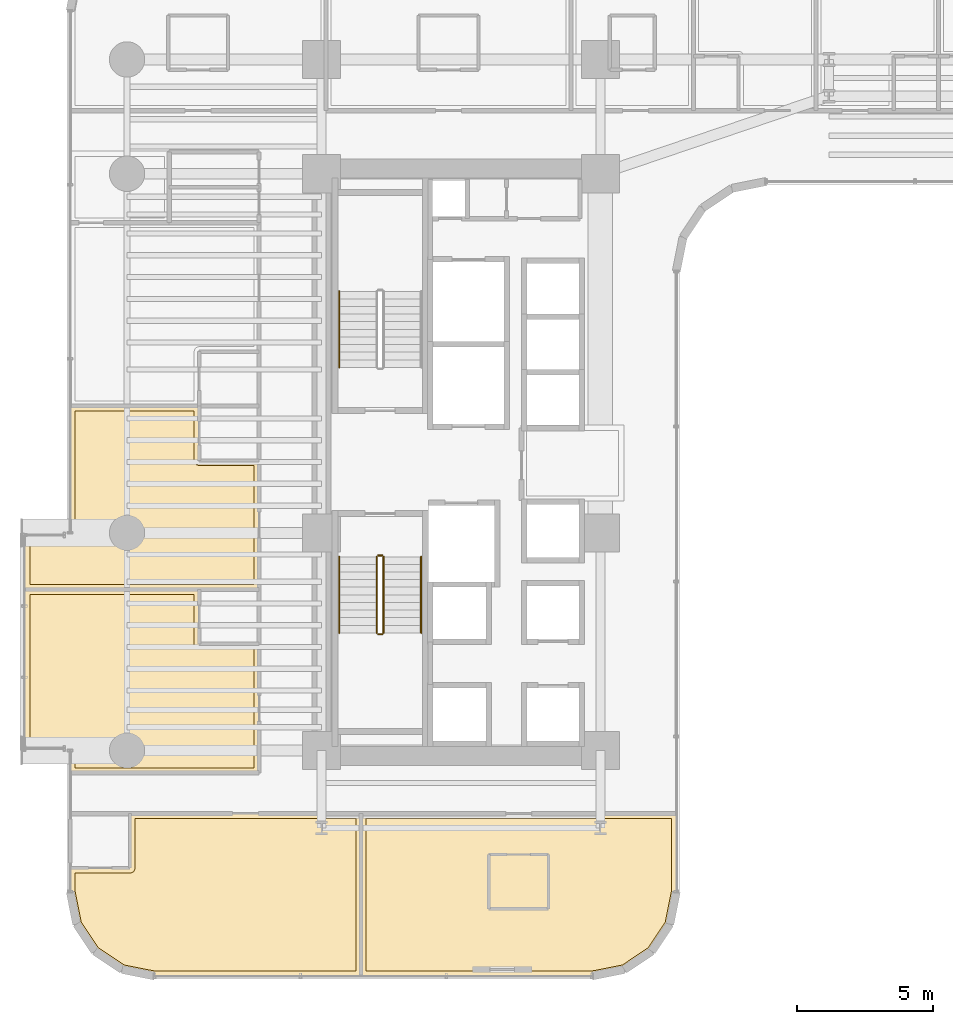
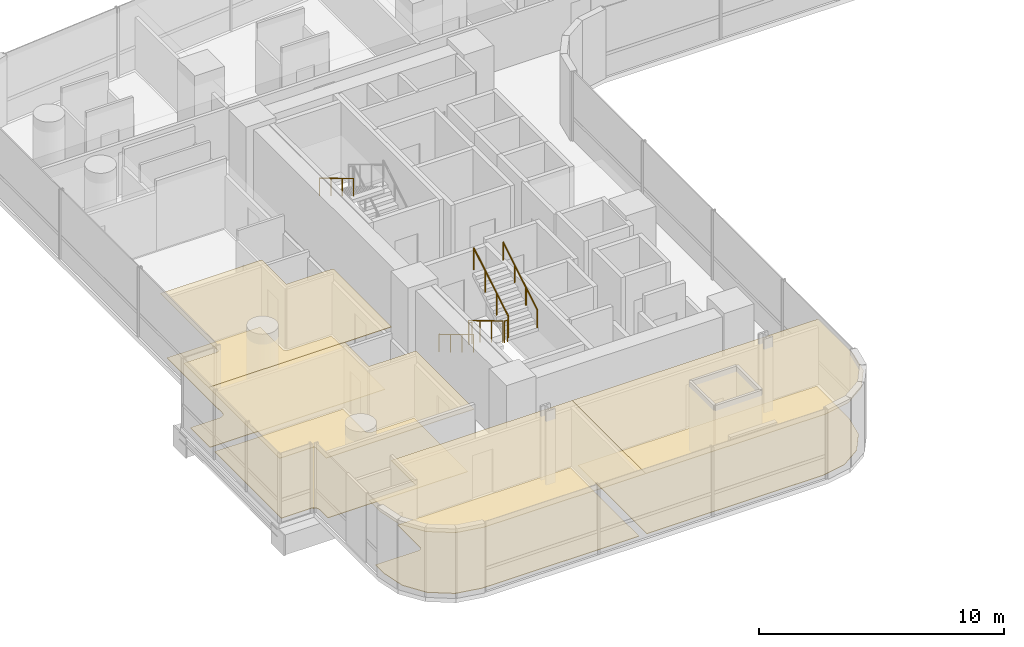
# One storey, part 37 of 42: 8 coverings, 7 railings.
"""IFC4 building model written with IfcOpenShell, lengths in metres."""

import ifcopenshell
import ifcopenshell.guid

model = None  # the IFC model being written
_history = None  # IfcOwnerHistory: only IFC2X3 demands one
_inside = {}  # id of a spatial element -> (the spatial element, [elements in it])
_under = {}  # id of a project, library or spatial element -> (it, [spatial elements below it])
_declared = {}  # id of a project -> (the project, [libraries it declares])
_typed = {}  # id of a type object -> (the type object, [elements of that type])
_made_of = {}  # id of a material, layer set ... -> (it, [elements and type objects made of it])


def new_model(schema):
    """Start an empty IFC model of exactly this schema.

    Asked for "IFC4X3", IfcOpenShell would pick the latest addendum, in which some entities
    have other attributes; the version numbers below select the first issue.
    IFC2X3 requires an IfcOwnerHistory on every rooted entity: one is made here for all.
    """
    global model, _history
    if schema == "IFC4X3":
        model = ifcopenshell.file(schema_version=(4, 3, 0, 0))
    else:
        model = ifcopenshell.file(schema=schema)
    _inside.clear()
    _under.clear()
    _declared.clear()
    _typed.clear()
    _made_of.clear()
    _history = None
    if model.schema == "IFC2X3":
        org = make("IfcOrganization", Name="unknown")
        user = make(
            "IfcPersonAndOrganization",
            ThePerson=make("IfcPerson", FamilyName="unknown"),
            TheOrganization=org,
        )
        app = make(
            "IfcApplication",
            ApplicationDeveloper=org,
            Version="unknown",
            ApplicationFullName="unknown",
            ApplicationIdentifier="unknown",
        )
        _history = make(
            "IfcOwnerHistory",
            OwningUser=user,
            OwningApplication=app,
            ChangeAction="ADDED",
            CreationDate=0,
        )
    return model


def make(cls, **values):
    """One entity of the class cls with the attributes given. An attribute that is None is left unset."""
    return model.create_entity(
        cls, **{name: value for name, value in values.items() if value is not None}
    )


def rooted(cls, **values):
    """An entity with a GlobalId (a new one), such as an element, a storey or a relation."""
    return make(cls, GlobalId=ifcopenshell.guid.new(), OwnerHistory=_history, **values)


def si_unit(unit_type, name, prefix=None):
    """IfcSIUnit, for example si_unit("LENGTHUNIT", "METRE", prefix="MILLI")."""
    return make("IfcSIUnit", UnitType=unit_type, Prefix=prefix, Name=name)


def assignment(units):
    """IfcUnitAssignment: the units of a project."""
    return None if units is None else make("IfcUnitAssignment", Units=units)


def point(xyz):
    """IfcCartesianPoint."""
    return None if xyz is None else make("IfcCartesianPoint", Coordinates=xyz)


def direction(xyz):
    """IfcDirection."""
    return None if xyz is None else make("IfcDirection", DirectionRatios=xyz)


def frame(location, z_axis=None, x_axis=None):
    """IfcAxis2Placement3D, a coordinate frame: its origin and axes. An axis left out is left unset."""
    return make(
        "IfcAxis2Placement3D",
        Location=point(location),
        Axis=direction(z_axis),
        RefDirection=direction(x_axis),
    )


def frame_2d(location, x_axis=None):
    """IfcAxis2Placement2D, a coordinate frame in the plane: its origin and x axis."""
    return make(
        "IfcAxis2Placement2D", Location=point(location), RefDirection=direction(x_axis)
    )


def origin():
    """The frame at (0, 0, 0) with its axes left unset."""
    return frame((0.0, 0.0, 0.0))


def origin_2d():
    """The frame at (0, 0) in the plane with its x axis left unset."""
    return frame_2d((0.0, 0.0))


def place(relative_to, where):
    """IfcLocalPlacement: puts the frame where relative to a parent placement (None: the world)."""
    return make(
        "IfcLocalPlacement", PlacementRelTo=relative_to, RelativePlacement=where
    )


def context(
    kind, dimensions, precision=None, world=None, true_north=None, identifier=None
):
    """IfcGeometricRepresentationContext, for example the 3D "Model" context."""
    return make(
        "IfcGeometricRepresentationContext",
        ContextIdentifier=identifier,
        ContextType=kind,
        CoordinateSpaceDimension=dimensions,
        Precision=precision,
        WorldCoordinateSystem=world,
        TrueNorth=true_north,
    )


def subcontext(parent, identifier, kind, view, scale=None):
    """IfcGeometricRepresentationSubContext, for example "Body" below "Model"."""
    return make(
        "IfcGeometricRepresentationSubContext",
        ContextIdentifier=identifier,
        ContextType=kind,
        ParentContext=parent,
        TargetScale=scale,
        TargetView=view,
    )


def project(units=None, contexts=None):
    """IfcProject with its units and contexts."""
    return rooted(
        "IfcProject",
        Name="project",
        RepresentationContexts=contexts,
        UnitsInContext=assignment(units),
    )


def spatial(cls, under=None, at=None, **own):
    """A site, building, storey or space (cls), placed at a placement, below another one or the project."""
    s = rooted(cls, ObjectPlacement=at, **own)
    if under is not None:
        _under.setdefault(under.id(), (under, []))[1].append(s)
    return s


def polyline(points):
    """IfcPolyline through the points."""
    return make("IfcPolyline", Points=[point(p) for p in points])


def profile(cls, at=None, kind="AREA", **sizes):
    """A parametric profile (cls). Its sizes go by their IFC names, for example OverallWidth=200.0."""
    return make(cls, ProfileType=kind, Position=at, **sizes)


def circle(**sizes):
    """IfcCircleProfileDef."""
    return profile("IfcCircleProfileDef", **sizes)


def outline(outer, holes=None, kind="AREA"):
    """IfcArbitraryClosedProfileDef: a profile drawn as a closed curve; with holes, ...WithVoids."""
    if holes is None:
        return make("IfcArbitraryClosedProfileDef", ProfileType=kind, OuterCurve=outer)
    return make(
        "IfcArbitraryProfileDefWithVoids",
        ProfileType=kind,
        OuterCurve=outer,
        InnerCurves=holes,
    )


def extrude(swept, where, along, depth):
    """IfcExtrudedAreaSolid: the profile swept, set in the frame where, extruded along a direction by depth."""
    return make(
        "IfcExtrudedAreaSolid",
        SweptArea=swept,
        Position=where,
        ExtrudedDirection=direction(along),
        Depth=depth,
    )


def shape(context_of_items, identifier, shape_type, items):
    """IfcShapeRepresentation: the items that make up one representation, for example the "Body"."""
    return make(
        "IfcShapeRepresentation",
        ContextOfItems=context_of_items,
        RepresentationIdentifier=identifier,
        RepresentationType=shape_type,
        Items=items,
    )


def material(Name=None, Category=None):
    """IfcMaterial."""
    return make("IfcMaterial", Name=Name, Category=Category)


def layer(
    of_material, thickness, ventilated=None, Name=None, Category=None, Priority=None
):
    """IfcMaterialLayer: one layer of a wall or slab, of a material (None: an air gap)."""
    return make(
        "IfcMaterialLayer",
        Material=of_material,
        LayerThickness=thickness,
        IsVentilated=ventilated,
        Name=Name,
        Category=Category,
        Priority=Priority,
    )


def layer_set(layers, Name=None):
    """IfcMaterialLayerSet."""
    return make("IfcMaterialLayerSet", MaterialLayers=layers, LayerSetName=Name)


def made_of(thing, what):
    """Note that an element or type object is made of a material, layer set ...; save() writes the relation."""
    if what is not None:
        _made_of.setdefault(what.id(), (what, []))[1].append(thing)
    return thing


def type_object(cls, material=None, **own):
    """A type object (cls), such as IfcWallType, which elements share."""
    return made_of(rooted(cls, **own), material)


def element(
    cls,
    number,
    at=None,
    inside=None,
    cuts=None,
    type_object=None,
    material=None,
    context=None,
    identifier="Body",
    shape_type=None,
    held_by="IfcProductDefinitionShape",
    body=None,
    shapes=None,
    **own,
):
    """One element of the class cls, such as IfcWall. Its Tag is "e" and its number.

    at: its placement. inside: the storey or other place that contains it. cuts: it is an
    opening in that element (IfcRelVoidsElement). A single representation is given by context,
    identifier, shape_type and body (its items); several are given by shapes. held_by: the class
    of the entity that holds the representations. save() writes the other relations.
    """
    e = rooted(cls, Tag="e%d" % number, ObjectPlacement=at, **own)
    if body is not None:
        shapes = [shape(context, identifier, shape_type, body)]
    if shapes is not None:
        e.Representation = make(held_by, Representations=shapes)
    if inside is not None:
        _inside.setdefault(inside.id(), (inside, []))[1].append(e)
    if cuts is not None:
        rooted(
            "IfcRelVoidsElement", RelatingBuildingElement=cuts, RelatedOpeningElement=e
        )
    if type_object is not None:
        _typed.setdefault(type_object.id(), (type_object, []))[1].append(e)
    return made_of(e, material)


def aggregate(whole, parts):
    """IfcRelAggregates: a whole, such as a stair, and the parts it consists of."""
    return rooted("IfcRelAggregates", RelatingObject=whole, RelatedObjects=parts)


def save(model, path):
    """Write the relations noted so far, then the file.

    IfcRelAggregates (storeys below a building ...), IfcRelContainedInSpatialStructure (elements
    in a storey), IfcRelDefinesByType, IfcRelAssociatesMaterial and IfcRelDeclares: one each for
    every whole, place, type object, material and project.
    """
    for whole, parts in _under.values():
        aggregate(whole, parts)
    for where, things in _inside.values():
        rooted(
            "IfcRelContainedInSpatialStructure",
            RelatedElements=things,
            RelatingStructure=where,
        )
    for kind, things in _typed.values():
        rooted("IfcRelDefinesByType", RelatedObjects=things, RelatingType=kind)
    for what, things in _made_of.values():
        rooted("IfcRelAssociatesMaterial", RelatedObjects=things, RelatingMaterial=what)
    for by, libraries in _declared.values():
        rooted("IfcRelDeclares", RelatingContext=by, RelatedDefinitions=libraries)
    model.write(path)


model = new_model("IFC4")

# Units and contexts
model_context = context("Model", 3, precision=1e-05, world=origin(), true_north=direction((0.0, 1.0)))
body_context = subcontext(model_context, "Body", "Model", "MODEL_VIEW")
ifc_project = project(units=[si_unit("LENGTHUNIT", "METRE"), si_unit("AREAUNIT", "SQUARE_METRE"), si_unit("VOLUMEUNIT", "CUBIC_METRE"), si_unit("PLANEANGLEUNIT", "RADIAN"), si_unit("MASSUNIT", "GRAM", prefix="KILO")], contexts=[model_context])

# Site, building, storey
site_placement = place(None, origin())
site = spatial("IfcSite", under=ifc_project, at=site_placement, CompositionType="ELEMENT")
building_placement = place(site_placement, origin())
building = spatial("IfcBuilding", under=site, at=building_placement, Name="Valdorenza Pilgrim Sanctuary Tower", CompositionType="ELEMENT")
storey_placement = place(building_placement, frame((0.0, 0.0, 29.699951171875)))
storey = spatial("IfcBuildingStorey", under=building, at=storey_placement, Name="L06", CompositionType="ELEMENT", Elevation=29.699951171875)

# Coverings
ifc_material_1 = material(Name="Micro-perforated acoustic mineral ceiling tile", Category="gypsum")
ifc_layer_1 = layer(ifc_material_1, 0.02490234375, Name="Micro-perforated acoustic mineral ceiling tile")
ifc_layer_set_1 = layer_set([ifc_layer_1], Name="Micro-perforated acoustic mineral ceiling tile")
covering_type_1 = type_object("IfcCoveringType", Name="COV-CLG-ACU", PredefinedType="CEILING", material=ifc_layer_set_1)
covering_1_placement = place(storey_placement, frame((0.0, 0.0, 3.16015625)))
element("IfcCovering", 1, at=covering_1_placement, inside=storey, type_object=covering_type_1, Name="L06 Pilgrim Guest Room L06-W1 Acoustic Ceiling", PredefinedType="CEILING", context=body_context, shape_type="SweptSolid", body=[
    extrude(outline(polyline([(-31.905029296875, -10.600341796875), (-31.905517578125, -10.5908203125), (-31.90673828125, -10.58154296875), (-31.9091796875, -10.572509765625), (-31.912109375, -10.563720703125), (-31.916259765625, -10.55517578125), (-31.9208984375, -10.547119140625), (-31.926513671875, -10.539794921875), (-31.932861328125, -10.53271484375), (-31.939697265625, -10.526611328125), (-31.947265625, -10.52099609375), (-31.955078125, -10.51611328125), (-31.963623046875, -10.51220703125), (-31.972412109375, -10.509033203125), (-31.9814453125, -10.5068359375), (-31.99072265625, -10.505615234375), (-32.00048828125, -10.5048828125), (-33.5400390625, -10.5048828125), (-33.54150390625, -10.5048828125), (-33.54296875, -10.504638671875), (-33.54443359375, -10.50439453125), (-33.545654296875, -10.50390625), (-33.547119140625, -10.503173828125), (-33.54833984375, -10.50244140625), (-33.549560546875, -10.501708984375), (-33.550537109375, -10.50048828125), (-33.551513671875, -10.49951171875), (-33.552490234375, -10.498291015625), (-33.55322265625, -10.4970703125), (-33.553955078125, -10.49560546875), (-33.554443359375, -10.494384765625), (-33.5546875, -10.492919921875), (-33.554931640625, -10.491455078125), (-33.554931640625, -10.489990234375), (-33.554931640625, -4.679931640625), (-33.554931640625, -4.678466796875), (-33.5546875, -4.677001953125), (-33.554443359375, -4.675537109375), (-33.553955078125, -4.67431640625), (-33.55322265625, -4.6728515625), (-33.552490234375, -4.671630859375), (-33.551513671875, -4.67041015625), (-33.550537109375, -4.66943359375), (-33.549560546875, -4.66845703125), (-33.54833984375, -4.66748046875), (-33.547119140625, -4.666748046875), (-33.545654296875, -4.666015625), (-33.54443359375, -4.66552734375), (-33.54296875, -4.665283203125), (-33.54150390625, -4.6650390625), (-33.5400390625, -4.6650390625), (-27.152099609375, -4.6650390625), (-27.150390625, -4.6650390625), (-27.149169921875, -4.665283203125), (-27.147705078125, -4.66552734375), (-27.146240234375, -4.666015625), (-27.14501953125, -4.666748046875), (-27.143798828125, -4.66748046875), (-27.142578125, -4.66845703125), (-27.141357421875, -4.66943359375), (-27.140380859375, -4.67041015625), (-27.139404296875, -4.671630859375), (-27.138916015625, -4.6728515625), (-27.13818359375, -4.67431640625), (-27.1376953125, -4.675537109375), (-27.13720703125, -4.677001953125), (-27.13720703125, -4.678466796875), (-27.136962890625, -4.679931640625), (-27.136962890625, -6.6669921875), (-24.949951171875, -6.6669921875), (-24.948486328125, -6.6669921875), (-24.947021484375, -6.667236328125), (-24.945556640625, -6.66748046875), (-24.9443359375, -6.668212890625), (-24.94287109375, -6.668701171875), (-24.941650390625, -6.66943359375), (-24.9404296875, -6.67041015625), (-24.939453125, -6.67138671875), (-24.9384765625, -6.672607421875), (-24.9375, -6.673583984375), (-24.936767578125, -6.6748046875), (-24.93603515625, -6.67626953125), (-24.935546875, -6.677490234375), (-24.935302734375, -6.67919921875), (-24.93505859375, -6.680419921875), (-24.93505859375, -6.681884765625), (-24.93505859375, -11.419921875), (-24.93505859375, -11.42138671875), (-24.935302734375, -11.4228515625), (-24.935546875, -11.42431640625), (-24.93603515625, -11.42578125), (-24.936767578125, -11.427001953125), (-24.9375, -11.42822265625), (-24.9384765625, -11.429443359375), (-24.939453125, -11.4306640625), (-24.9404296875, -11.431640625), (-24.941650390625, -11.4326171875), (-24.94287109375, -11.43310546875), (-24.9443359375, -11.433837890625), (-24.945556640625, -11.434326171875), (-24.947021484375, -11.434814453125), (-24.948486328125, -11.434814453125), (-24.949951171875, -11.43505859375), (-31.889892578125, -11.43505859375), (-31.8916015625, -11.434814453125), (-31.892822265625, -11.434814453125), (-31.894287109375, -11.434326171875), (-31.895751953125, -11.433837890625), (-31.897216796875, -11.43310546875), (-31.898193359375, -11.4326171875), (-31.8994140625, -11.431640625), (-31.900634765625, -11.4306640625), (-31.901611328125, -11.429443359375), (-31.902587890625, -11.42822265625), (-31.9033203125, -11.427001953125), (-31.90380859375, -11.42578125), (-31.904296875, -11.42431640625), (-31.90478515625, -11.4228515625), (-31.90478515625, -11.42138671875), (-31.905029296875, -11.419921875), (-31.905029296875, -10.600341796875)])), origin(), (0.0, 0.0, 1.0), 0.02490234375),
])
covering_2_placement = place(storey_placement, frame((0.0, 0.0, 3.16015625)))
element("IfcCovering", 2, at=covering_2_placement, inside=storey, type_object=covering_type_1, Name="L06 Pilgrim Guest Room L06-W2 Acoustic Ceiling", PredefinedType="CEILING", context=body_context, shape_type="SweptSolid", body=[
    extrude(outline(polyline([(-33.554931640625, -2.7099609375), (-33.554931640625, -2.70849609375), (-33.5546875, -2.70703125), (-33.554443359375, -2.70556640625), (-33.553955078125, -2.704345703125), (-33.55322265625, -2.702880859375), (-33.552490234375, -2.70166015625), (-33.551513671875, -2.700439453125), (-33.550537109375, -2.699462890625), (-33.549560546875, -2.698486328125), (-33.54833984375, -2.697509765625), (-33.547119140625, -2.69677734375), (-33.545654296875, -2.696044921875), (-33.54443359375, -2.695556640625), (-33.54296875, -2.6953125), (-33.54150390625, -2.695068359375), (-33.5400390625, -2.695068359375), (-32.00048828125, -2.695068359375), (-31.99072265625, -2.694580078125), (-31.9814453125, -2.693115234375), (-31.972412109375, -2.69091796875), (-31.963623046875, -2.687744140625), (-31.955078125, -2.683837890625), (-31.947265625, -2.678955078125), (-31.939697265625, -2.67333984375), (-31.932861328125, -2.667236328125), (-31.926513671875, -2.660400390625), (-31.9208984375, -2.65283203125), (-31.916259765625, -2.644775390625), (-31.912109375, -2.63623046875), (-31.9091796875, -2.627685546875), (-31.90673828125, -2.618408203125), (-31.905517578125, -2.609375), (-31.905029296875, -2.599609375), (-31.905029296875, 2.06005859375), (-31.90478515625, 2.0615234375), (-31.90478515625, 2.06298828125), (-31.904296875, 2.064453125), (-31.90380859375, 2.065673828125), (-31.9033203125, 2.067138671875), (-31.902587890625, 2.068359375), (-31.901611328125, 2.069580078125), (-31.900634765625, 2.070556640625), (-31.8994140625, 2.071533203125), (-31.898193359375, 2.072509765625), (-31.897216796875, 2.0732421875), (-31.895751953125, 2.073974609375), (-31.894287109375, 2.074462890625), (-31.892822265625, 2.07470703125), (-31.8916015625, 2.074951171875), (-31.889892578125, 2.074951171875), (-27.152099609375, 2.074951171875), (-27.150390625, 2.074951171875), (-27.149169921875, 2.07470703125), (-27.147705078125, 2.074462890625), (-27.146240234375, 2.073974609375), (-27.14501953125, 2.0732421875), (-27.143798828125, 2.072509765625), (-27.142578125, 2.071533203125), (-27.141357421875, 2.070556640625), (-27.140380859375, 2.069580078125), (-27.139404296875, 2.068359375), (-27.138916015625, 2.067138671875), (-27.13818359375, 2.065673828125), (-27.1376953125, 2.064453125), (-27.13720703125, 2.06298828125), (-27.13720703125, 2.0615234375), (-27.136962890625, 2.06005859375), (-27.136962890625, 0.072998046875), (-24.949951171875, 0.072998046875), (-24.948486328125, 0.072998046875), (-24.947021484375, 0.07275390625), (-24.945556640625, 0.072509765625), (-24.9443359375, 0.072021484375), (-24.94287109375, 0.0712890625), (-24.941650390625, 0.070556640625), (-24.9404296875, 0.069580078125), (-24.939453125, 0.068603515625), (-24.9384765625, 0.0673828125), (-24.9375, 0.06640625), (-24.936767578125, 0.065185546875), (-24.93603515625, 0.063720703125), (-24.935546875, 0.0625), (-24.935302734375, 0.060791015625), (-24.93505859375, 0.0595703125), (-24.93505859375, 0.05810546875), (-24.93505859375, -4.677978515625), (-24.93505859375, -4.679443359375), (-24.935302734375, -4.680908203125), (-24.935546875, -4.682373046875), (-24.93603515625, -4.68359375), (-24.936767578125, -4.68505859375), (-24.9375, -4.686279296875), (-24.9384765625, -4.6875), (-24.939453125, -4.688720703125), (-24.9404296875, -4.689697265625), (-24.941650390625, -4.6904296875), (-24.94287109375, -4.691162109375), (-24.9443359375, -4.69189453125), (-24.945556640625, -4.6923828125), (-24.947021484375, -4.692626953125), (-24.948486328125, -4.69287109375), (-24.949951171875, -4.693115234375), (-27.148193359375, -4.693115234375), (-27.14892578125, -4.693115234375), (-27.150390625, -4.693359375), (-27.152099609375, -4.693115234375), (-27.153564453125, -4.693115234375), (-27.15380859375, -4.693115234375), (-33.5400390625, -4.693115234375), (-33.54150390625, -4.69287109375), (-33.54296875, -4.692626953125), (-33.54443359375, -4.6923828125), (-33.545654296875, -4.69189453125), (-33.547119140625, -4.691162109375), (-33.54833984375, -4.6904296875), (-33.549560546875, -4.689697265625), (-33.550537109375, -4.688720703125), (-33.551513671875, -4.6875), (-33.552490234375, -4.686279296875), (-33.55322265625, -4.68505859375), (-33.553955078125, -4.68359375), (-33.554443359375, -4.682373046875), (-33.5546875, -4.680908203125), (-33.554931640625, -4.679443359375), (-33.554931640625, -4.677978515625), (-33.554931640625, -2.7099609375)])), origin(), (0.0, 0.0, 1.0), 0.02490234375),
])
covering_3_placement = place(storey_placement, frame((0.0, 0.0, 3.16015625)))
element("IfcCovering", 3, at=covering_3_placement, inside=storey, type_object=covering_type_1, Name="L06 South Guest Room L06-S1 Acoustic Ceiling", PredefinedType="CEILING", context=body_context, shape_type="SweptSolid", body=[
    extrude(outline(polyline([(-29.702880859375, -14.906982421875), (-29.702880859375, -12.919921875), (-29.702880859375, -12.91845703125), (-29.70263671875, -12.9169921875), (-29.702392578125, -12.91552734375), (-29.701904296875, -12.914306640625), (-29.701171875, -12.912841796875), (-29.700439453125, -12.91162109375), (-29.69970703125, -12.910400390625), (-29.698486328125, -12.909423828125), (-29.697509765625, -12.908447265625), (-29.6962890625, -12.907470703125), (-29.695068359375, -12.90673828125), (-29.693603515625, -12.906005859375), (-29.6923828125, -12.905517578125), (-29.69091796875, -12.9052734375), (-29.689453125, -12.905029296875), (-29.68798828125, -12.905029296875), (-21.199951171875, -12.905029296875), (-21.198486328125, -12.905029296875), (-21.197021484375, -12.9052734375), (-21.195556640625, -12.905517578125), (-21.1943359375, -12.906005859375), (-21.19287109375, -12.90673828125), (-21.191650390625, -12.907470703125), (-21.1904296875, -12.908447265625), (-21.189453125, -12.909423828125), (-21.1884765625, -12.910400390625), (-21.1875, -12.91162109375), (-21.186767578125, -12.912841796875), (-21.18603515625, -12.914306640625), (-21.185546875, -12.91552734375), (-21.185302734375, -12.9169921875), (-21.18505859375, -12.91845703125), (-21.18505859375, -12.919921875), (-21.18505859375, -18.889892578125), (-21.18505859375, -18.8916015625), (-21.185302734375, -18.892822265625), (-21.185546875, -18.894287109375), (-21.18603515625, -18.895751953125), (-21.186767578125, -18.897216796875), (-21.1875, -18.898193359375), (-21.1884765625, -18.8994140625), (-21.189453125, -18.900634765625), (-21.1904296875, -18.901611328125), (-21.191650390625, -18.902587890625), (-21.19287109375, -18.9033203125), (-21.1943359375, -18.90380859375), (-21.195556640625, -18.904296875), (-21.197021484375, -18.90478515625), (-21.198486328125, -18.90478515625), (-21.199951171875, -18.905029296875), (-28.789306640625, -18.905029296875), (-28.79052734375, -18.90478515625), (-28.7919921875, -18.90478515625), (-29.984619140625, -18.66748046875), (-29.986083984375, -18.6669921875), (-29.9873046875, -18.66650390625), (-29.98876953125, -18.666015625), (-29.989990234375, -18.665283203125), (-30.99169921875, -17.995849609375), (-30.992919921875, -17.9951171875), (-30.993896484375, -17.993896484375), (-30.9951171875, -17.992919921875), (-30.995849609375, -17.99169921875), (-31.665283203125, -16.989990234375), (-31.666015625, -16.98876953125), (-31.66650390625, -16.9873046875), (-31.6669921875, -16.986083984375), (-31.66748046875, -16.984619140625), (-31.90478515625, -15.7919921875), (-31.90478515625, -15.79052734375), (-31.905029296875, -15.789306640625), (-31.905029296875, -14.922119140625), (-31.90478515625, -14.92041015625), (-31.90478515625, -14.919189453125), (-31.904296875, -14.91748046875), (-31.90380859375, -14.916259765625), (-31.9033203125, -14.914794921875), (-31.902587890625, -14.913818359375), (-31.901611328125, -14.91259765625), (-31.900634765625, -14.911376953125), (-31.8994140625, -14.910400390625), (-31.898193359375, -14.909423828125), (-31.897216796875, -14.90869140625), (-31.895751953125, -14.908203125), (-31.894287109375, -14.90771484375), (-31.892822265625, -14.9072265625), (-31.8916015625, -14.906982421875), (-31.889892578125, -14.906982421875), (-29.702880859375, -14.906982421875)])), origin(), (0.0, 0.0, 1.0), 0.02490234375),
])
covering_4_placement = place(storey_placement, frame((0.0, 0.0, 3.16015625)))
element("IfcCovering", 4, at=covering_4_placement, inside=storey, type_object=covering_type_1, Name="L06 South Guest Room L06-S2 Acoustic Ceiling", PredefinedType="CEILING", context=body_context, shape_type="SweptSolid", body=[
    extrude(outline(polyline([(-9.610107421875, -12.905029296875), (-9.6083984375, -12.905029296875), (-9.607177734375, -12.9052734375), (-9.605712890625, -12.905517578125), (-9.604248046875, -12.906005859375), (-9.602783203125, -12.90673828125), (-9.601806640625, -12.907470703125), (-9.6005859375, -12.908447265625), (-9.599365234375, -12.909423828125), (-9.598388671875, -12.910400390625), (-9.597412109375, -12.91162109375), (-9.5966796875, -12.912841796875), (-9.59619140625, -12.914306640625), (-9.595703125, -12.91552734375), (-9.59521484375, -12.9169921875), (-9.59521484375, -12.91845703125), (-9.594970703125, -12.919921875), (-9.594970703125, -15.789306640625), (-9.59521484375, -15.79052734375), (-9.59521484375, -15.7919921875), (-9.83251953125, -16.984619140625), (-9.8330078125, -16.986083984375), (-9.83349609375, -16.9873046875), (-9.833984375, -16.98876953125), (-9.834716796875, -16.989990234375), (-10.504150390625, -17.99169921875), (-10.5048828125, -17.992919921875), (-10.506103515625, -17.993896484375), (-10.507080078125, -17.9951171875), (-10.50830078125, -17.995849609375), (-11.510009765625, -18.665283203125), (-11.51123046875, -18.666015625), (-11.5126953125, -18.66650390625), (-11.513916015625, -18.6669921875), (-11.515380859375, -18.66748046875), (-12.7080078125, -18.90478515625), (-12.70947265625, -18.90478515625), (-12.710693359375, -18.905029296875), (-21.197998046875, -18.905029296875), (-21.199462890625, -18.90478515625), (-21.200927734375, -18.90478515625), (-21.202392578125, -18.904296875), (-21.20361328125, -18.90380859375), (-21.205078125, -18.9033203125), (-21.206298828125, -18.902587890625), (-21.20751953125, -18.901611328125), (-21.20849609375, -18.900634765625), (-21.209716796875, -18.8994140625), (-21.21044921875, -18.898193359375), (-21.211181640625, -18.897216796875), (-21.2119140625, -18.895751953125), (-21.21240234375, -18.894287109375), (-21.212646484375, -18.892822265625), (-21.212890625, -18.8916015625), (-21.212890625, -18.889892578125), (-21.212890625, -12.919921875), (-21.212890625, -12.91845703125), (-21.212646484375, -12.9169921875), (-21.21240234375, -12.91552734375), (-21.2119140625, -12.914306640625), (-21.211181640625, -12.912841796875), (-21.21044921875, -12.91162109375), (-21.209716796875, -12.910400390625), (-21.20849609375, -12.909423828125), (-21.20751953125, -12.908447265625), (-21.206298828125, -12.907470703125), (-21.205078125, -12.90673828125), (-21.20361328125, -12.906005859375), (-21.202392578125, -12.905517578125), (-21.200927734375, -12.9052734375), (-21.199462890625, -12.905029296875), (-21.197998046875, -12.905029296875), (-9.610107421875, -12.905029296875)])), origin(), (0.0, 0.0, 1.0), 0.02490234375),
])
ifc_material_2 = material(Name="Engineered European oak timber flooring", Category="wood")
ifc_layer_2 = layer(ifc_material_2, 0.02197265625, Name="Engineered European oak timber flooring")
ifc_layer_set_2 = layer_set([ifc_layer_2], Name="Engineered European oak timber flooring")
covering_type_2 = type_object("IfcCoveringType", Name="COV-FLR-OAK", PredefinedType="FLOORING", material=ifc_layer_set_2)
covering_5_placement = place(storey_placement, origin())
element("IfcCovering", 5, at=covering_5_placement, inside=storey, type_object=covering_type_2, Name="L06 Pilgrim Guest Room L06-W1 Flooring", PredefinedType="FLOORING", context=body_context, shape_type="SweptSolid", body=[
    extrude(outline(polyline([(-31.7099609375, -10.60009765625), (-31.710205078125, -10.59130859375), (-31.710693359375, -10.580322265625), (-31.71240234375, -10.562744140625), (-31.714111328125, -10.552001953125), (-31.717529296875, -10.534912109375), (-31.72021484375, -10.5244140625), (-31.725341796875, -10.50732421875), (-31.72900390625, -10.497314453125), (-31.735595703125, -10.48095703125), (-31.740234375, -10.47119140625), (-31.74853515625, -10.45556640625), (-31.754150390625, -10.4462890625), (-31.763916015625, -10.431640625), (-31.7705078125, -10.423095703125), (-31.781494140625, -10.4091796875), (-31.788818359375, -10.4013671875), (-31.80126953125, -10.388916015625), (-31.809326171875, -10.381591796875), (-31.822998046875, -10.370361328125), (-31.831787109375, -10.364013671875), (-31.84619140625, -10.35400390625), (-31.855712890625, -10.3486328125), (-31.87109375, -10.34033203125), (-31.880859375, -10.335693359375), (-31.897216796875, -10.328857421875), (-31.907470703125, -10.3251953125), (-31.92431640625, -10.320068359375), (-31.934814453125, -10.3173828125), (-31.9521484375, -10.314208984375), (-31.962890625, -10.3125), (-31.98046875, -10.310791015625), (-31.9912109375, -10.310302734375), (-32.0, -10.31005859375), (-33.360107421875, -10.31005859375), (-33.360107421875, -4.860107421875), (-27.33203125, -4.860107421875), (-27.33203125, -6.679931640625), (-27.331787109375, -6.688720703125), (-27.331787109375, -6.68896484375), (-27.330078125, -6.70654296875), (-27.330078125, -6.706787109375), (-27.32666015625, -6.72412109375), (-27.326416015625, -6.724365234375), (-27.3212890625, -6.7412109375), (-27.3212890625, -6.741455078125), (-27.314697265625, -6.7578125), (-27.314453125, -6.7578125), (-27.30615234375, -6.7734375), (-27.30615234375, -6.773681640625), (-27.296142578125, -6.788330078125), (-27.296142578125, -6.78857421875), (-27.284912109375, -6.802001953125), (-27.284912109375, -6.80224609375), (-27.272216796875, -6.814697265625), (-27.272216796875, -6.81494140625), (-27.258544921875, -6.826171875), (-27.25830078125, -6.826171875), (-27.24365234375, -6.836181640625), (-27.243408203125, -6.836181640625), (-27.227783203125, -6.844482421875), (-27.227783203125, -6.844482421875), (-27.21142578125, -6.851318359375), (-27.211181640625, -6.851318359375), (-27.1943359375, -6.8564453125), (-27.194091796875, -6.856689453125), (-27.1767578125, -6.860107421875), (-27.176513671875, -6.860107421875), (-27.158935546875, -6.86181640625), (-27.15869140625, -6.86181640625), (-27.14990234375, -6.862060546875), (-25.1298828125, -6.862060546875), (-25.1298828125, -11.239990234375), (-31.7099609375, -11.239990234375), (-31.7099609375, -10.60009765625)])), origin(), (0.0, 0.0, 1.0), 0.025146484375),
])
covering_6_placement = place(storey_placement, origin())
element("IfcCovering", 6, at=covering_6_placement, inside=storey, type_object=covering_type_2, Name="L06 Pilgrim Guest Room L06-W2 Flooring", PredefinedType="FLOORING", context=body_context, shape_type="SweptSolid", body=[
    extrude(outline(polyline([(-33.360107421875, -2.889892578125), (-32.0, -2.889892578125), (-31.9912109375, -2.889892578125), (-31.98046875, -2.889404296875), (-31.962890625, -2.887451171875), (-31.9521484375, -2.885986328125), (-31.934814453125, -2.882568359375), (-31.92431640625, -2.8798828125), (-31.907470703125, -2.874755859375), (-31.897216796875, -2.87109375), (-31.880859375, -2.8642578125), (-31.87109375, -2.859619140625), (-31.855712890625, -2.851318359375), (-31.84619140625, -2.845947265625), (-31.831787109375, -2.8359375), (-31.822998046875, -2.82958984375), (-31.809326171875, -2.818359375), (-31.80126953125, -2.811279296875), (-31.788818359375, -2.798583984375), (-31.781494140625, -2.790771484375), (-31.7705078125, -2.777099609375), (-31.763916015625, -2.768310546875), (-31.754150390625, -2.753662109375), (-31.74853515625, -2.744384765625), (-31.740234375, -2.728759765625), (-31.735595703125, -2.718994140625), (-31.72900390625, -2.70263671875), (-31.725341796875, -2.692626953125), (-31.72021484375, -2.67578125), (-31.717529296875, -2.665283203125), (-31.714111328125, -2.64794921875), (-31.71240234375, -2.63720703125), (-31.710693359375, -2.61962890625), (-31.710205078125, -2.60888671875), (-31.7099609375, -2.60009765625), (-31.7099609375, 1.8798828125), (-27.33203125, 1.8798828125), (-27.33203125, 0.06005859375), (-27.331787109375, 0.05126953125), (-27.331787109375, 0.051025390625), (-27.330078125, 0.033447265625), (-27.330078125, 0.033203125), (-27.32666015625, 0.015869140625), (-27.326416015625, 0.015625), (-27.3212890625, -0.001220703125), (-27.3212890625, -0.00146484375), (-27.314697265625, -0.017578125), (-27.314453125, -0.017822265625), (-27.30615234375, -0.033447265625), (-27.30615234375, -0.03369140625), (-27.296142578125, -0.04833984375), (-27.296142578125, -0.048583984375), (-27.284912109375, -0.06201171875), (-27.284912109375, -0.062255859375), (-27.272216796875, -0.07470703125), (-27.272216796875, -0.074951171875), (-27.258544921875, -0.086181640625), (-27.25830078125, -0.086181640625), (-27.24365234375, -0.09619140625), (-27.243408203125, -0.09619140625), (-27.227783203125, -0.1044921875), (-27.227783203125, -0.1044921875), (-27.21142578125, -0.111328125), (-27.211181640625, -0.111328125), (-27.1943359375, -0.116455078125), (-27.194091796875, -0.11669921875), (-27.1767578125, -0.1201171875), (-27.176513671875, -0.1201171875), (-27.158935546875, -0.121826171875), (-27.15869140625, -0.121826171875), (-27.14990234375, -0.1220703125), (-25.1298828125, -0.1220703125), (-25.1298828125, -4.498046875), (-27.14990234375, -4.498046875), (-27.15087890625, -4.498046875), (-27.151611328125, -4.498046875), (-27.152099609375, -4.498046875), (-33.360107421875, -4.498046875), (-33.360107421875, -2.889892578125)])), origin(), (0.0, 0.0, 1.0), 0.025146484375),
])
covering_7_placement = place(storey_placement, origin())
element("IfcCovering", 7, at=covering_7_placement, inside=storey, type_object=covering_type_2, Name="L06 South Guest Room L06-S1 Flooring", PredefinedType="FLOORING", context=body_context, shape_type="SweptSolid", body=[
    extrude(outline(polyline([(-28.771484375, -18.7099609375), (-29.911376953125, -18.483154296875), (-30.853515625, -17.853515625), (-31.483154296875, -16.911376953125), (-31.7099609375, -15.771484375), (-31.7099609375, -15.10205078125), (-29.68994140625, -15.10205078125), (-29.68115234375, -15.101806640625), (-29.680908203125, -15.101806640625), (-29.663330078125, -15.10009765625), (-29.6630859375, -15.10009765625), (-29.64599609375, -15.0966796875), (-29.645751953125, -15.096435546875), (-29.62890625, -15.09130859375), (-29.628662109375, -15.09130859375), (-29.6123046875, -15.084716796875), (-29.612060546875, -15.08447265625), (-29.596435546875, -15.076171875), (-29.596435546875, -15.076171875), (-29.581787109375, -15.066162109375), (-29.58154296875, -15.066162109375), (-29.56787109375, -15.054931640625), (-29.567626953125, -15.0546875), (-29.55517578125, -15.042236328125), (-29.55517578125, -15.0419921875), (-29.5439453125, -15.028564453125), (-29.543701171875, -15.0283203125), (-29.533935546875, -15.013671875), (-29.53369140625, -15.013427734375), (-29.525390625, -14.997802734375), (-29.525390625, -14.997802734375), (-29.518798828125, -14.9814453125), (-29.5185546875, -14.981201171875), (-29.513427734375, -14.96435546875), (-29.513427734375, -14.964111328125), (-29.510009765625, -14.94677734375), (-29.510009765625, -14.946533203125), (-29.50830078125, -14.928955078125), (-29.50830078125, -14.9287109375), (-29.508056640625, -14.919921875), (-29.508056640625, -13.10009765625), (-21.3798828125, -13.10009765625), (-21.3798828125, -18.7099609375), (-28.771484375, -18.7099609375)])), origin(), (0.0, 0.0, 1.0), 0.025146484375),
])
covering_8_placement = place(storey_placement, origin())
element("IfcCovering", 8, at=covering_8_placement, inside=storey, type_object=covering_type_2, Name="L06 South Guest Room L06-S2 Flooring", PredefinedType="FLOORING", context=body_context, shape_type="SweptSolid", body=[
    extrude(outline(polyline([(-9.7900390625, -13.10009765625), (-9.7900390625, -15.771484375), (-10.016845703125, -16.911376953125), (-10.646484375, -17.853515625), (-11.588623046875, -18.483154296875), (-12.728515625, -18.7099609375), (-21.01806640625, -18.7099609375), (-21.01806640625, -13.10009765625), (-9.7900390625, -13.10009765625)])), origin(), (0.0, 0.0, 1.0), 0.025146484375),
])

# Railings
ifc_material_3 = material(Name="Stainless steel Grade 316", Category="steel")
railing_type_1 = type_object("IfcRailingType", Name="RLG-GRD-1120", PredefinedType="GUARDRAIL", material=ifc_material_3)
railing_1_placement = place(storey_placement, frame((-20.6201171875, -3.47998046875, 0.168212890625)))
element("IfcRailing", 9, at=railing_1_placement, inside=storey, type_object=railing_type_1, Name="L06 ST-A2 stair guard 1", PredefinedType="GUARDRAIL", context=body_context, shape_type="SweptSolid", body=[
    extrude(circle(Radius=0.02392578125, at=origin_2d()), frame((0.0, 0.0, 1.076171875), z_axis=(0.0, -0.857242210791, 0.514913383045), x_axis=(1.0, 0.0, 0.0)), (0.0, 0.0, 1.0), 3.266357421875),
    extrude(circle(Radius=0.02099609375, at=origin_2d()), origin(), (0.0, 0.0, 1.0), 1.052001953125),
    extrude(circle(Radius=0.02099609375, at=origin_2d()), frame((0.0, -0.933349609375, 0.560546875)), (0.0, 0.0, 1.0), 1.052001953125),
    extrude(circle(Radius=0.02099609375, at=origin_2d()), frame((0.0, -1.86669921875, 1.121337890625)), (0.0, 0.0, 1.0), 1.052001953125),
    extrude(circle(Radius=0.02099609375, at=origin_2d()), frame((0.0, -2.800048828125, 1.681884765625)), (0.0, 0.0, 1.0), 1.052001953125),
])
railing_2_placement = place(storey_placement, frame((-20.570068359375, -6.330078125, 1.85009765625)))
element("IfcRailing", 10, at=railing_2_placement, inside=storey, type_object=railing_type_1, Name="L06 ST-A2 stair guard 2", PredefinedType="GUARDRAIL", context=body_context, shape_type="SweptSolid", body=[
    extrude(circle(Radius=0.02392578125, at=origin_2d()), frame((0.0, 0.0, 1.076171875), z_axis=(1.0, 0.0, 0.0), x_axis=(0.0, 1.0, 0.0)), (0.0, 0.0, 1.0), 0.150146484375),
    extrude(circle(Radius=0.02099609375, at=origin_2d()), origin(), (0.0, 0.0, 1.0), 1.052001953125),
    extrude(circle(Radius=0.02099609375, at=origin_2d()), frame((0.150146484375, 0.0, 0.0)), (0.0, 0.0, 1.0), 1.052001953125),
])
railing_3_placement = place(storey_placement, frame((-20.3701171875, -6.280029296875, 2.018310546875)))
element("IfcRailing", 11, at=railing_3_placement, inside=storey, type_object=railing_type_1, Name="L06 ST-A2 stair guard 3", PredefinedType="GUARDRAIL", context=body_context, shape_type="SweptSolid", body=[
    extrude(circle(Radius=0.02392578125, at=origin_2d()), frame((0.0, 0.0, 1.076171875), z_axis=(0.0, 0.857275202839, 0.514858452973), x_axis=(-1.0, 0.0, 0.0)), (0.0, 0.0, 1.0), 3.26611328125),
    extrude(circle(Radius=0.02099609375, at=origin_2d()), origin(), (0.0, 0.0, 1.0), 1.052001953125),
    extrude(circle(Radius=0.02099609375, at=origin_2d()), frame((0.0, 0.933349609375, 0.560546875)), (0.0, 0.0, 1.0), 1.052001953125),
    extrude(circle(Radius=0.02099609375, at=origin_2d()), frame((0.0, 1.86669921875, 1.12109375)), (0.0, 0.0, 1.0), 1.052001953125),
    extrude(circle(Radius=0.02099609375, at=origin_2d()), frame((0.0, 2.800048828125, 1.681640625)), (0.0, 0.0, 1.0), 1.052001953125),
])
railing_4_placement = place(storey_placement, frame((-20.570068359375, -3.429931640625, 0.0)))
element("IfcRailing", 12, at=railing_4_placement, inside=storey, type_object=railing_type_1, Name="L06 ST-A2 stair guard 4", PredefinedType="GUARDRAIL", context=body_context, shape_type="SweptSolid", body=[
    extrude(circle(Radius=0.02392578125, at=origin_2d()), frame((0.0, 0.0, 1.076171875), z_axis=(1.0, 0.0, 0.0), x_axis=(0.0, 1.0, 0.0)), (0.0, 0.0, 1.0), 0.150146484375),
    extrude(circle(Radius=0.02099609375, at=origin_2d()), origin(), (0.0, 0.0, 1.0), 1.052001953125),
    extrude(circle(Radius=0.02099609375, at=origin_2d()), frame((0.150146484375, 0.0, 0.0)), (0.0, 0.0, 1.0), 1.052001953125),
])
ifc_material_4 = material(Name="Brushed stainless steel Grade 316", Category="steel")
railing_type_2 = type_object("IfcRailingType", Name="RLG-HND-920", PredefinedType="HANDRAIL", material=ifc_material_4)
railing_5_placement = place(storey_placement, frame((-22.0, 6.280029296875, 2.018310546875)))
element("IfcRailing", 13, at=railing_5_placement, inside=storey, type_object=railing_type_2, Name="L06 ST-A1 stair handrail 2", PredefinedType="HANDRAIL", context=body_context, shape_type="SweptSolid", body=[
    extrude(circle(Radius=0.02392578125, at=origin_2d()), frame((0.0, 0.0, 0.8759765625), z_axis=(0.0, -0.857275202839, 0.514858452973), x_axis=(1.0, 0.0, 0.0)), (0.0, 0.0, 1.0), 3.26611328125),
    extrude(circle(Radius=0.02099609375, at=origin_2d()), origin(), (0.0, 0.0, 1.0), 0.851806640625),
    extrude(circle(Radius=0.02099609375, at=origin_2d()), frame((0.0, -0.933349609375, 0.560546875)), (0.0, 0.0, 1.0), 0.851806640625),
    extrude(circle(Radius=0.02099609375, at=origin_2d()), frame((0.0, -1.86669921875, 1.12109375)), (0.0, 0.0, 1.0), 0.851806640625),
    extrude(circle(Radius=0.02099609375, at=origin_2d()), frame((0.0, -2.800048828125, 1.681640625)), (0.0, 0.0, 1.0), 0.851806640625),
])
railing_6_placement = place(storey_placement, frame((-22.0, -3.47998046875, 0.168212890625)))
element("IfcRailing", 14, at=railing_6_placement, inside=storey, type_object=railing_type_2, Name="L06 ST-A2 stair handrail 1", PredefinedType="HANDRAIL", context=body_context, shape_type="SweptSolid", body=[
    extrude(circle(Radius=0.02392578125, at=origin_2d()), frame((0.0, 0.0, 0.8759765625), z_axis=(0.0, -0.857242210791, 0.514913383045), x_axis=(1.0, 0.0, 0.0)), (0.0, 0.0, 1.0), 3.266357421875),
    extrude(circle(Radius=0.02099609375, at=origin_2d()), origin(), (0.0, 0.0, 1.0), 0.851806640625),
    extrude(circle(Radius=0.02099609375, at=origin_2d()), frame((0.0, -0.933349609375, 0.560546875)), (0.0, 0.0, 1.0), 0.851806640625),
    extrude(circle(Radius=0.02099609375, at=origin_2d()), frame((0.0, -1.86669921875, 1.121337890625)), (0.0, 0.0, 1.0), 0.851806640625),
    extrude(circle(Radius=0.02099609375, at=origin_2d()), frame((0.0, -2.800048828125, 1.681884765625)), (0.0, 0.0, 1.0), 0.851806640625),
])
railing_7_placement = place(storey_placement, frame((-18.989990234375, -6.280029296875, 2.018310546875)))
element("IfcRailing", 15, at=railing_7_placement, inside=storey, type_object=railing_type_2, Name="L06 ST-A2 stair handrail 2", PredefinedType="HANDRAIL", context=body_context, shape_type="SweptSolid", body=[
    extrude(circle(Radius=0.02392578125, at=origin_2d()), frame((0.0, 0.0, 0.8759765625), z_axis=(0.0, 0.857275202839, 0.514858452973), x_axis=(-1.0, 0.0, 0.0)), (0.0, 0.0, 1.0), 3.26611328125),
    extrude(circle(Radius=0.02099609375, at=origin_2d()), origin(), (0.0, 0.0, 1.0), 0.851806640625),
    extrude(circle(Radius=0.02099609375, at=origin_2d()), frame((0.0, 0.933349609375, 0.560546875)), (0.0, 0.0, 1.0), 0.851806640625),
    extrude(circle(Radius=0.02099609375, at=origin_2d()), frame((0.0, 1.86669921875, 1.12109375)), (0.0, 0.0, 1.0), 0.851806640625),
    extrude(circle(Radius=0.02099609375, at=origin_2d()), frame((0.0, 2.800048828125, 1.681640625)), (0.0, 0.0, 1.0), 0.851806640625),
])

save(model, "model.ifc")
